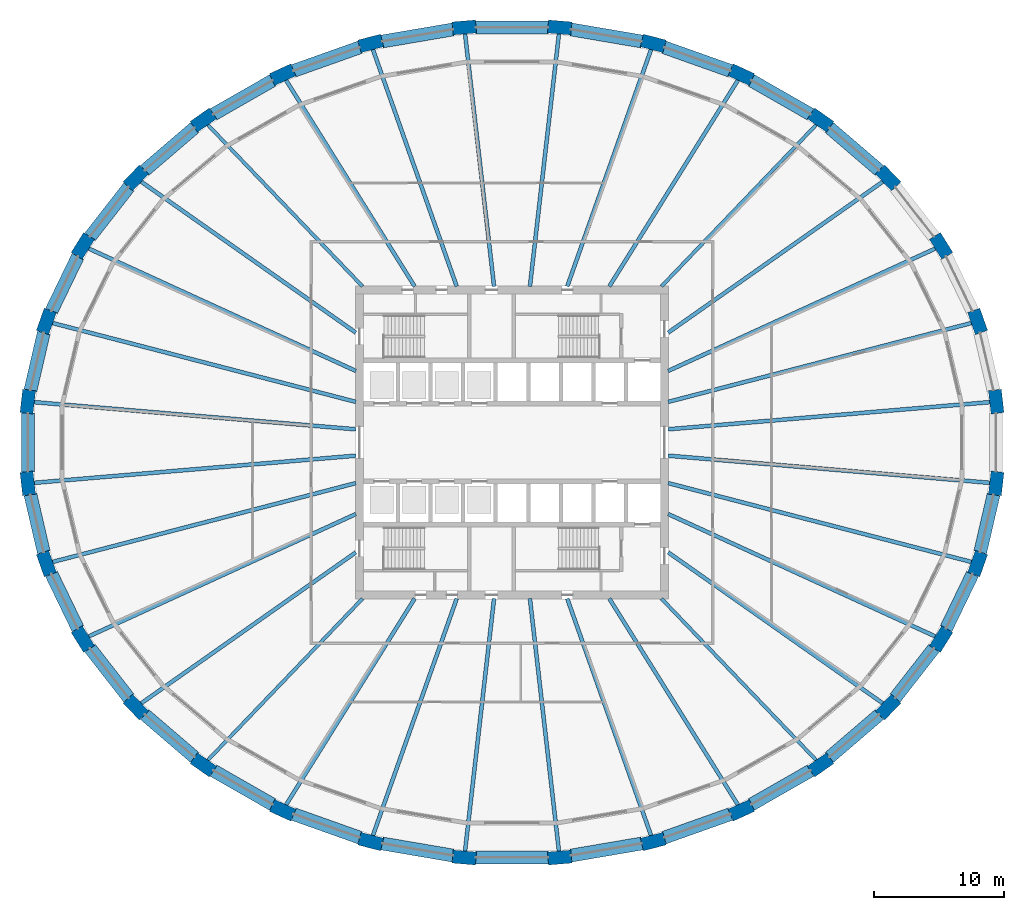
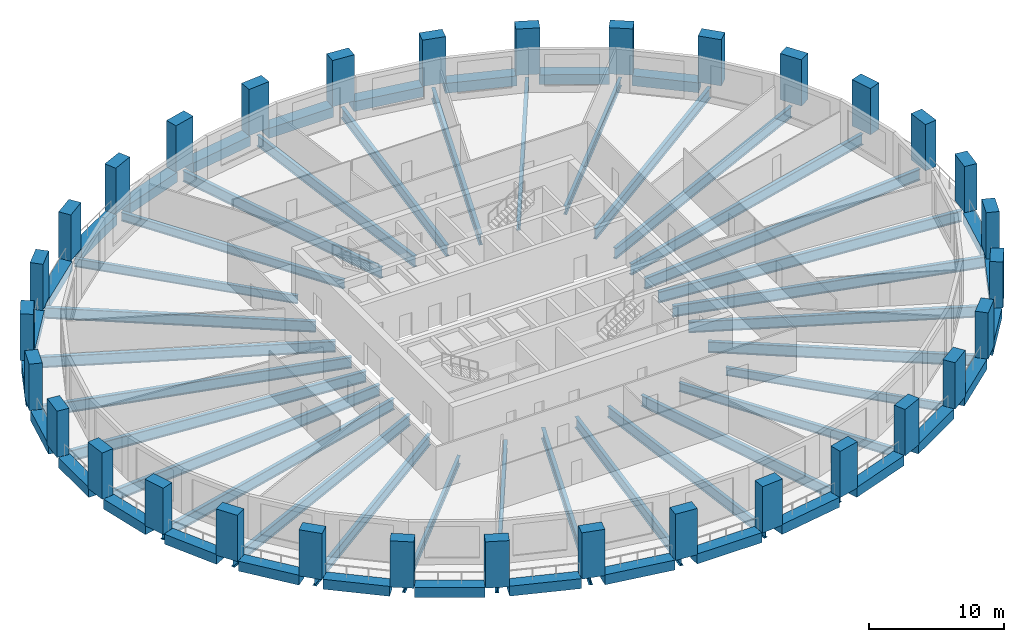
# One storey, part 1 of 10: 60 beams, 32 columns.
"""IFC4 building model written with IfcOpenShell, lengths in metres."""

from ifc_helpers import new_model, si_unit, direction, frame, origin, origin_2d, place, context, subcontext, project, spatial, rectangle, i_section, extrude, material, material_profile, profile_set, type_object, element, save


model = new_model("IFC4")

# Units and contexts
model_context = context("Model", 3, precision=1e-05, world=origin(), true_north=direction((0.0, 1.0)))
body_context = subcontext(model_context, "Body", "Model", "MODEL_VIEW")
ifc_project = project(units=[si_unit("LENGTHUNIT", "METRE"), si_unit("AREAUNIT", "SQUARE_METRE"), si_unit("VOLUMEUNIT", "CUBIC_METRE"), si_unit("PLANEANGLEUNIT", "RADIAN"), si_unit("MASSUNIT", "GRAM", prefix="KILO")], contexts=[model_context])

# Site, building, storey
site_placement = place(None, origin())
site = spatial("IfcSite", under=ifc_project, at=site_placement, CompositionType="ELEMENT")
building_placement = place(site_placement, origin())
building = spatial("IfcBuilding", under=site, at=building_placement, Name="Halqa Exchange Tower", CompositionType="ELEMENT")
storey_placement = place(building_placement, frame((0.0, 0.0, 52.89990234375)))
storey = spatial("IfcBuildingStorey", under=building, at=storey_placement, Name="L11", CompositionType="ELEMENT", Elevation=52.89990234375)

# Columns
ifc_material_1 = material(Name="Concrete C80/95", Category="concrete")
ifc_material_profile_1 = material_profile(ifc_material_1, rectangle(XDim=1.800048828125, YDim=1.0, at=origin_2d()), Name="1800 x 1000")
ifc_profile_set_1 = profile_set([ifc_material_profile_1], Name="Concrete C80/95")
column_type = type_object("IfcColumnType", Name="RC ring column 1800 x 1000 C80/95", PredefinedType="COLUMN", material=ifc_profile_set_1)
for number, where, z_axis, x_axis, name in (
    (1, (37.135986328125, 3.135009765625, 0.0), (0.0, 0.0, 1.0), (-0.114153454138, 0.993463129114, 0.0), "Ring column 1"),
    (2, (35.708984375, 9.284912109375, 0.0), (0.0, 0.0, 1.0), (-0.33362752424, 0.942704977747, 0.0), "Ring column 2"),
    (3, (32.90966796875, 15.07763671875, 0.0), (0.0, 0.0, 1.0), (-0.529143458197, 0.848532380435, 0.0), "Ring column 3"),
    (4, (28.845458984375, 20.291015625, 0.0), (0.0, 0.0, 1.0), (-0.691576091297, 0.722303613411, 0.0), "Ring column 4"),
    (5, (23.6728515625, 24.724609375, 0.0), (0.0, 0.0, 1.0), (-0.817908788019, 0.57534790734, 0.0), "Ring column 5"),
    (6, (17.590576171875, 28.208251953125, 0.0), (0.0, 0.0, 1.0), (-0.909127095833, 0.416518815449, 0.0), "Ring column 6"),
    (7, (10.832275390625, 30.607666015625, 0.0), (0.0, 0.0, 1.0), (-0.967819942774, 0.251643713153, 0.0), "Ring column 7"),
    (8, (3.65771484375, 31.8310546875, 0.0), (0.0, 0.0, 1.0), (-0.996455225341, 0.084124811391, 0.0), "Ring column 8"),
    (9, (-3.65771484375, 31.8310546875, 0.0), (0.0, 0.0, 1.0), (-0.996455225341, -0.084124811391, 0.0), "Ring column 9"),
    (10, (-10.832275390625, 30.607666015625, 0.0), (0.0, 0.0, 1.0), (-0.967819942774, -0.251643713153, 0.0), "Ring column 10"),
    (11, (-17.590576171875, 28.208251953125, 0.0), (0.0, 0.0, 1.0), (-0.909127095833, -0.416518815449, 0.0), "Ring column 11"),
    (12, (-23.6728515625, 24.724609375, 0.0), (0.0, 0.0, 1.0), (-0.817908788019, -0.57534790734, 0.0), "Ring column 12"),
    (13, (-28.845458984375, 20.291015625, 0.0), (0.0, 0.0, 1.0), (-0.691576091297, -0.722303613411, 0.0), "Ring column 13"),
    (14, (-32.90966796875, 15.07763671875, 0.0), (0.0, 0.0, 1.0), (-0.529143458197, -0.848532380435, 0.0), "Ring column 14"),
    (15, (-35.708984375, 9.284912109375, 0.0), (0.0, 0.0, 1.0), (-0.33362752424, -0.942704977747, 0.0), "Ring column 15"),
    (16, (-37.135986328125, 3.135009765625, 0.0), (0.0, 0.0, 1.0), (-0.114153454138, -0.993463129114, 0.0), "Ring column 16"),
    (17, (-37.135986328125, -3.135009765625, 0.0), (0.0, 0.0, 1.0), (0.114153454138, -0.993463129114, 0.0), "Ring column 17"),
    (18, (-35.708984375, -9.284912109375, 0.0), (0.0, 0.0, 1.0), (0.33362752424, -0.942704977747, 0.0), "Ring column 18"),
    (19, (-32.90966796875, -15.07763671875, 0.0), (0.0, 0.0, 1.0), (0.529143458197, -0.848532380435, 0.0), "Ring column 19"),
    (20, (-28.845458984375, -20.291015625, 0.0), (0.0, 0.0, 1.0), (0.691576091297, -0.722303613411, 0.0), "Ring column 20"),
    (21, (-23.6728515625, -24.724609375, 0.0), (0.0, 0.0, 1.0), (0.817908788019, -0.57534790734, 0.0), "Ring column 21"),
    (22, (-17.590576171875, -28.208251953125, 0.0), (0.0, 0.0, 1.0), (0.909127095833, -0.416518815449, 0.0), "Ring column 22"),
    (23, (-10.832275390625, -30.607666015625, 0.0), (0.0, 0.0, 1.0), (0.967819942774, -0.251643713153, 0.0), "Ring column 23"),
    (24, (-3.65771484375, -31.8310546875, 0.0), (0.0, 0.0, 1.0), (0.996455225341, -0.084124811391, 0.0), "Ring column 24"),
    (25, (3.65771484375, -31.8310546875, 0.0), (0.0, 0.0, 1.0), (0.996455225341, 0.084124811391, 0.0), "Ring column 25"),
    (26, (10.832275390625, -30.607666015625, 0.0), (0.0, 0.0, 1.0), (0.967819942774, 0.251643713153, 0.0), "Ring column 26"),
    (27, (17.590576171875, -28.208251953125, 0.0), (0.0, 0.0, 1.0), (0.909127095833, 0.416518815449, 0.0), "Ring column 27"),
    (28, (23.6728515625, -24.724609375, 0.0), (0.0, 0.0, 1.0), (0.817908788019, 0.57534790734, 0.0), "Ring column 28"),
    (29, (28.845458984375, -20.291015625, 0.0), (0.0, 0.0, 1.0), (0.691576091297, 0.722303613411, 0.0), "Ring column 29"),
    (30, (32.90966796875, -15.07763671875, 0.0), (0.0, 0.0, 1.0), (0.529143458197, 0.848532380435, 0.0), "Ring column 30"),
    (31, (35.708984375, -9.284912109375, 0.0), (0.0, 0.0, 1.0), (0.33362752424, 0.942704977747, 0.0), "Ring column 31"),
    (32, (37.135986328125, -3.135009765625, 0.0), (0.0, 0.0, 1.0), (0.114153454138, 0.993463129114, 0.0), "Ring column 32"),
):
    element("IfcColumn", number, at=place(storey_placement, frame(where, z_axis=z_axis, x_axis=x_axis)), inside=storey, type_object=column_type, Name=name, PredefinedType="COLUMN", context=body_context, shape_type="SweptSolid", body=[
        extrude(rectangle(XDim=1.800048828125, YDim=1.0, at=origin_2d()), origin(), (0.0, 0.0, 1.0), 4.2001953125),
    ])

# Beams
ifc_material_2 = material(Name="Steel S355", Category="steel")
ifc_material_profile_2 = material_profile(ifc_material_2, i_section(OverallWidth=0.300048828125, OverallDepth=0.989990234375, WebThickness=0.0166015625, FlangeThickness=0.031005859375, FilletRadius=0.030029296875, at=origin_2d()), Name="HEA 1000")
ifc_profile_set_2 = profile_set([ifc_material_profile_2], Name="Steel S355")
beam_type_1 = type_object("IfcBeamType", Name="Floor beam HEA 1000", PredefinedType="BEAM", material=ifc_profile_set_2)
beam_1_placement = place(storey_placement, frame((11.972412109375, 5.485107421875, -0.794921875), z_axis=(0.909128252254, 0.416516291343, 0.0), x_axis=(-0.416516291343, 0.909128252254, 0.0)))
element("IfcBeam", 33, at=beam_1_placement, inside=storey, type_object=beam_type_1, Name="Radial beam 3", PredefinedType="BEAM", context=body_context, shape_type="SweptSolid", body=[
    extrude(i_section(OverallWidth=0.300048828125, OverallDepth=0.989990234375, WebThickness=0.0166015625, FlangeThickness=0.031005859375, FilletRadius=0.030029296875, at=origin_2d()), origin(), (0.0, 0.0, 1.0), 22.654052734375),
])
beam_2_placement = place(storey_placement, frame((11.972412109375, 8.421875, -0.794921875), z_axis=(0.817910834663, 0.575344997841, 0.0), x_axis=(-0.575344997841, 0.817910834663, 0.0)))
element("IfcBeam", 34, at=beam_2_placement, inside=storey, type_object=beam_type_1, Name="Radial beam 4", PredefinedType="BEAM", context=body_context, shape_type="SweptSolid", body=[
    extrude(i_section(OverallWidth=0.300048828125, OverallDepth=0.989990234375, WebThickness=0.0166015625, FlangeThickness=0.031005859375, FilletRadius=0.030029296875, at=origin_2d()), origin(), (0.0, 0.0, 1.0), 20.253662109375),
])
beam_3_placement = place(storey_placement, frame((4.23681640625, 11.971923828125, -0.794921875), z_axis=(0.333636480127, 0.942701808171, 0.0), x_axis=(-0.942701808171, 0.333636480127, 0.0)))
element("IfcBeam", 35, at=beam_3_placement, inside=storey, type_object=beam_type_1, Name="Radial beam 7", PredefinedType="BEAM", context=body_context, shape_type="SweptSolid", body=[
    extrude(i_section(OverallWidth=0.300048828125, OverallDepth=0.989990234375, WebThickness=0.0166015625, FlangeThickness=0.031005859375, FilletRadius=0.030029296875, at=origin_2d()), origin(), (0.0, 0.0, 1.0), 19.39453125),
])
for number, where, z_axis, x_axis, name in (
    (36, (1.375732421875, 11.972900390625, -0.794921875), (0.114150293161, 0.993463492319, 0.0), (-0.993463492319, 0.114150293161, 0.0), "Radial beam 8"),
    (37, (-1.375732421875, 11.972900390625, -0.794921875), (-0.114150293161, 0.993463492319, 0.0), (-0.993463492319, -0.114150293161, 0.0), "Radial beam 9"),
):
    element("IfcBeam", number, at=place(storey_placement, frame(where, z_axis=z_axis, x_axis=x_axis)), inside=storey, type_object=beam_type_1, Name=name, PredefinedType="BEAM", context=body_context, shape_type="SweptSolid", body=[
        extrude(i_section(OverallWidth=0.300048828125, OverallDepth=0.989990234375, WebThickness=0.0166015625, FlangeThickness=0.031005859375, FilletRadius=0.030029296875, at=origin_2d()), origin(), (0.0, 0.0, 1.0), 19.61669921875),
    ])
beam_4_placement = place(storey_placement, frame((-4.23681640625, 11.971923828125, -0.794921875), z_axis=(-0.333636480127, 0.942701808171, 0.0), x_axis=(-0.942701808171, -0.333636480127, 0.0)))
element("IfcBeam", 38, at=beam_4_placement, inside=storey, type_object=beam_type_1, Name="Radial beam 10", PredefinedType="BEAM", context=body_context, shape_type="SweptSolid", body=[
    extrude(i_section(OverallWidth=0.300048828125, OverallDepth=0.989990234375, WebThickness=0.0166015625, FlangeThickness=0.031005859375, FilletRadius=0.030029296875, at=origin_2d()), origin(), (0.0, 0.0, 1.0), 19.39453125),
])
beam_5_placement = place(storey_placement, frame((-11.972412109375, 8.421875, -0.794921875), z_axis=(-0.817910834663, 0.575344997841, 0.0), x_axis=(-0.575344997841, -0.817910834663, 0.0)))
element("IfcBeam", 39, at=beam_5_placement, inside=storey, type_object=beam_type_1, Name="Radial beam 13", PredefinedType="BEAM", context=body_context, shape_type="SweptSolid", body=[
    extrude(i_section(OverallWidth=0.300048828125, OverallDepth=0.989990234375, WebThickness=0.0166015625, FlangeThickness=0.031005859375, FilletRadius=0.030029296875, at=origin_2d()), origin(), (0.0, 0.0, 1.0), 20.253662109375),
])
for number, where, z_axis, x_axis, name in (
    (40, (-11.972412109375, 5.485107421875, -0.794921875), (-0.909128252254, 0.416516291343, 0.0), (-0.416516291343, -0.909128252254, 0.0), "Radial beam 14"),
    (41, (-11.972412109375, -5.485107421875, -0.794921875), (-0.909128252254, -0.416516291343, 0.0), (0.416516291343, -0.909128252254, 0.0), "Radial beam 19"),
):
    element("IfcBeam", number, at=place(storey_placement, frame(where, z_axis=z_axis, x_axis=x_axis)), inside=storey, type_object=beam_type_1, Name=name, PredefinedType="BEAM", context=body_context, shape_type="SweptSolid", body=[
        extrude(i_section(OverallWidth=0.300048828125, OverallDepth=0.989990234375, WebThickness=0.0166015625, FlangeThickness=0.031005859375, FilletRadius=0.030029296875, at=origin_2d()), origin(), (0.0, 0.0, 1.0), 22.654052734375),
    ])
beam_6_placement = place(storey_placement, frame((-11.972412109375, -8.421875, -0.794921875), z_axis=(-0.817910834663, -0.575344997841, 0.0), x_axis=(0.575344997841, -0.817910834663, 0.0)))
element("IfcBeam", 42, at=beam_6_placement, inside=storey, type_object=beam_type_1, Name="Radial beam 20", PredefinedType="BEAM", context=body_context, shape_type="SweptSolid", body=[
    extrude(i_section(OverallWidth=0.300048828125, OverallDepth=0.989990234375, WebThickness=0.0166015625, FlangeThickness=0.031005859375, FilletRadius=0.030029296875, at=origin_2d()), origin(), (0.0, 0.0, 1.0), 20.253662109375),
])
beam_7_placement = place(storey_placement, frame((-4.23681640625, -11.971923828125, -0.794921875), z_axis=(-0.333636480127, -0.942701808171, 0.0), x_axis=(0.942701808171, -0.333636480127, 0.0)))
element("IfcBeam", 43, at=beam_7_placement, inside=storey, type_object=beam_type_1, Name="Radial beam 23", PredefinedType="BEAM", context=body_context, shape_type="SweptSolid", body=[
    extrude(i_section(OverallWidth=0.300048828125, OverallDepth=0.989990234375, WebThickness=0.0166015625, FlangeThickness=0.031005859375, FilletRadius=0.030029296875, at=origin_2d()), origin(), (0.0, 0.0, 1.0), 19.39453125),
])
for number, where, z_axis, x_axis, name in (
    (44, (-1.375732421875, -11.972900390625, -0.794921875), (-0.114150293161, -0.993463492319, 0.0), (0.993463492319, -0.114150293161, 0.0), "Radial beam 24"),
    (45, (1.375732421875, -11.972900390625, -0.794921875), (0.114150293161, -0.993463492319, 0.0), (0.993463492319, 0.114150293161, 0.0), "Radial beam 25"),
):
    element("IfcBeam", number, at=place(storey_placement, frame(where, z_axis=z_axis, x_axis=x_axis)), inside=storey, type_object=beam_type_1, Name=name, PredefinedType="BEAM", context=body_context, shape_type="SweptSolid", body=[
        extrude(i_section(OverallWidth=0.300048828125, OverallDepth=0.989990234375, WebThickness=0.0166015625, FlangeThickness=0.031005859375, FilletRadius=0.030029296875, at=origin_2d()), origin(), (0.0, 0.0, 1.0), 19.61669921875),
    ])
beam_8_placement = place(storey_placement, frame((4.23681640625, -11.971923828125, -0.794921875), z_axis=(0.333636480127, -0.942701808171, 0.0), x_axis=(0.942701808171, 0.333636480127, 0.0)))
element("IfcBeam", 46, at=beam_8_placement, inside=storey, type_object=beam_type_1, Name="Radial beam 26", PredefinedType="BEAM", context=body_context, shape_type="SweptSolid", body=[
    extrude(i_section(OverallWidth=0.300048828125, OverallDepth=0.989990234375, WebThickness=0.0166015625, FlangeThickness=0.031005859375, FilletRadius=0.030029296875, at=origin_2d()), origin(), (0.0, 0.0, 1.0), 19.39453125),
])
beam_9_placement = place(storey_placement, frame((11.972412109375, -8.421875, -0.794921875), z_axis=(0.817910834663, -0.575344997841, 0.0), x_axis=(0.575344997841, 0.817910834663, 0.0)))
element("IfcBeam", 47, at=beam_9_placement, inside=storey, type_object=beam_type_1, Name="Radial beam 29", PredefinedType="BEAM", context=body_context, shape_type="SweptSolid", body=[
    extrude(i_section(OverallWidth=0.300048828125, OverallDepth=0.989990234375, WebThickness=0.0166015625, FlangeThickness=0.031005859375, FilletRadius=0.030029296875, at=origin_2d()), origin(), (0.0, 0.0, 1.0), 20.253662109375),
])
beam_10_placement = place(storey_placement, frame((11.972412109375, -5.485107421875, -0.794921875), z_axis=(0.909128252254, -0.416516291343, 0.0), x_axis=(0.416516291343, 0.909128252254, 0.0)))
element("IfcBeam", 48, at=beam_10_placement, inside=storey, type_object=beam_type_1, Name="Radial beam 30", PredefinedType="BEAM", context=body_context, shape_type="SweptSolid", body=[
    extrude(i_section(OverallWidth=0.300048828125, OverallDepth=0.989990234375, WebThickness=0.0166015625, FlangeThickness=0.031005859375, FilletRadius=0.030029296875, at=origin_2d()), origin(), (0.0, 0.0, 1.0), 22.654052734375),
])
ifc_material_profile_3 = material_profile(ifc_material_2, i_section(OverallWidth=0.300048828125, OverallDepth=0.7900390625, WebThickness=0.014892578125, FlangeThickness=0.028076171875, FilletRadius=0.030029296875, at=origin_2d()), Name="HEA 800")
ifc_profile_set_3 = profile_set([ifc_material_profile_3], Name="Steel S355")
beam_type_2 = type_object("IfcBeamType", Name="Floor beam HEA 800", PredefinedType="BEAM", material=ifc_profile_set_3)
for number, where, z_axis, x_axis, name in (
    (49, (7.46533203125, 11.971435546875, -0.69482421875), (0.529137672144, 0.848535988582, 0.0), (-0.848535988582, 0.529137672144, 0.0), "Radial beam 6"),
    (50, (-7.46533203125, 11.971435546875, -0.69482421875), (-0.529137672144, 0.848535988582, 0.0), (-0.848535988582, -0.529137672144, 0.0), "Radial beam 11"),
    (51, (-7.46533203125, -11.971435546875, -0.69482421875), (-0.529137672144, -0.848535988582, 0.0), (0.848535988582, -0.529137672144, 0.0), "Radial beam 22"),
    (52, (7.46533203125, -11.971435546875, -0.69482421875), (0.529137672144, -0.848535988582, 0.0), (0.848535988582, 0.529137672144, 0.0), "Radial beam 27"),
):
    element("IfcBeam", number, at=place(storey_placement, frame(where, z_axis=z_axis, x_axis=x_axis)), inside=storey, type_object=beam_type_2, Name=name, PredefinedType="BEAM", context=body_context, shape_type="SweptSolid", body=[
        extrude(i_section(OverallWidth=0.300048828125, OverallDepth=0.7900390625, WebThickness=0.014892578125, FlangeThickness=0.028076171875, FilletRadius=0.030029296875, at=origin_2d()), origin(), (0.0, 0.0, 1.0), 18.75927734375),
    ])
ifc_material_profile_4 = material_profile(ifc_material_2, i_section(OverallWidth=0.300048828125, OverallDepth=1.0, WebThickness=0.01904296875, FlangeThickness=0.035888671875, FilletRadius=0.030029296875, at=origin_2d()), Name="HEB 1000")
ifc_profile_set_4 = profile_set([ifc_material_profile_4], Name="Steel S355")
beam_type_3 = type_object("IfcBeamType", Name="Floor beam HEB 1000", PredefinedType="BEAM", material=ifc_profile_set_4)
for number, where, z_axis, x_axis, name in (
    (53, (11.97119140625, 3.11279296875, -0.7998046875), (0.967820586637, 0.251641236846, 0.0), (-0.251641236846, 0.967820586637, 0.0), "Radial beam 2"),
    (54, (-11.97119140625, 3.11279296875, -0.7998046875), (-0.967820586637, 0.251641236846, 0.0), (-0.251641236846, -0.967820586637, 0.0), "Radial beam 15"),
    (55, (-11.97119140625, -3.11279296875, -0.7998046875), (-0.967820586637, -0.251641236846, 0.0), (0.251641236846, -0.967820586637, 0.0), "Radial beam 18"),
    (56, (11.97119140625, -3.11279296875, -0.7998046875), (0.967820586637, -0.251641236846, 0.0), (0.251641236846, 0.967820586637, 0.0), "Radial beam 31"),
):
    element("IfcBeam", number, at=place(storey_placement, frame(where, z_axis=z_axis, x_axis=x_axis)), inside=storey, type_object=beam_type_3, Name=name, PredefinedType="BEAM", context=body_context, shape_type="SweptSolid", body=[
        extrude(i_section(OverallWidth=0.300048828125, OverallDepth=1.0, WebThickness=0.01904296875, FlangeThickness=0.035888671875, FilletRadius=0.030029296875, at=origin_2d()), origin(), (0.0, 0.0, 1.0), 24.153076171875),
    ])
ifc_material_profile_5 = material_profile(ifc_material_2, i_section(OverallWidth=0.302001953125, OverallDepth=1.008056640625, WebThickness=0.02099609375, FlangeThickness=0.0400390625, FilletRadius=0.030029296875, at=origin_2d()), Name="HEM 1000")
ifc_profile_set_5 = profile_set([ifc_material_profile_5], Name="Steel S355")
beam_type_4 = type_object("IfcBeamType", Name="Floor beam HEM 1000", PredefinedType="BEAM", material=ifc_profile_set_5)
for number, where, z_axis, x_axis, name in (
    (57, (11.972412109375, 1.0107421875, -0.803955078125), (0.996455582093, 0.084120585565, 0.0), (-0.084120585565, 0.996455582093, 0.0), "Radial beam 1"),
    (58, (-11.972412109375, 1.0107421875, -0.803955078125), (-0.996455582093, 0.084120585565, 0.0), (-0.084120585565, -0.996455582093, 0.0), "Radial beam 16"),
    (59, (-11.972412109375, -1.0107421875, -0.803955078125), (-0.996455582093, -0.084120585565, 0.0), (0.084120585565, -0.996455582093, 0.0), "Radial beam 17"),
    (60, (11.972412109375, -1.0107421875, -0.803955078125), (0.996455582093, -0.084120585565, 0.0), (0.084120585565, 0.996455582093, 0.0), "Radial beam 32"),
):
    element("IfcBeam", number, at=place(storey_placement, frame(where, z_axis=z_axis, x_axis=x_axis)), inside=storey, type_object=beam_type_4, Name=name, PredefinedType="BEAM", context=body_context, shape_type="SweptSolid", body=[
        extrude(i_section(OverallWidth=0.302001953125, OverallDepth=1.008056640625, WebThickness=0.02099609375, FlangeThickness=0.0400390625, FilletRadius=0.030029296875, at=origin_2d()), origin(), (0.0, 0.0, 1.0), 24.881103515625),
    ])
ifc_material_profile_6 = material_profile(ifc_material_2, i_section(OverallWidth=0.264892578125, OverallDepth=0.7529296875, WebThickness=0.01318359375, FlangeThickness=0.01708984375, FilletRadius=0.01708984375, at=origin_2d()), Name="IPE 750x147")
ifc_profile_set_6 = profile_set([ifc_material_profile_6], Name="Steel S355")
beam_type_5 = type_object("IfcBeamType", Name="Floor beam IPE 750x147", PredefinedType="BEAM", material=ifc_profile_set_6)
for number, where, z_axis, x_axis, name in (
    (61, (11.462890625, 11.97216796875, -0.676513671875), (0.691574479101, 0.722305157019, 0.0), (-0.722305157019, 0.691574479101, 0.0), "Radial beam 5"),
    (62, (-11.462890625, 11.97216796875, -0.676513671875), (-0.691574479101, 0.722305157019, 0.0), (-0.722305157019, -0.691574479101, 0.0), "Radial beam 12"),
    (63, (-11.462890625, -11.97216796875, -0.676513671875), (-0.691574479101, -0.722305157019, 0.0), (0.722305157019, -0.691574479101, 0.0), "Radial beam 21"),
    (64, (11.462890625, -11.97216796875, -0.676513671875), (0.691574479101, -0.722305157019, 0.0), (0.722305157019, 0.691574479101, 0.0), "Radial beam 28"),
):
    element("IfcBeam", number, at=place(storey_placement, frame(where, z_axis=z_axis, x_axis=x_axis)), inside=storey, type_object=beam_type_5, Name=name, PredefinedType="BEAM", context=body_context, shape_type="SweptSolid", body=[
        extrude(i_section(OverallWidth=0.264892578125, OverallDepth=0.7529296875, WebThickness=0.01318359375, FlangeThickness=0.01708984375, FilletRadius=0.01708984375, at=origin_2d()), origin(), (0.0, 0.0, 1.0), 17.279296875),
    ])
ifc_material_3 = material(Name="Concrete C60/75", Category="concrete")
ifc_material_profile_7 = material_profile(ifc_material_3, rectangle(XDim=1.0, YDim=0.89990234375, at=origin_2d()), Name="1000 x 900")
ifc_profile_set_7 = profile_set([ifc_material_profile_7], Name="Concrete C60/75")
beam_type_6 = type_object("IfcBeamType", Name="RC spandrel beam 1000 x 900 C60/75", PredefinedType="SPANDREL", material=ifc_profile_set_7)
beam_11_placement = place(storey_placement, frame((28.18017578125, 20.861328125, -0.449951171875), z_axis=(-0.759266817387, 0.650779455741, 0.0), x_axis=(-0.650779455741, -0.759266817387, 0.0)))
element("IfcBeam", 65, at=beam_11_placement, inside=storey, type_object=beam_type_6, Name="Spandrel 4", PredefinedType="SPANDREL", context=body_context, shape_type="SweptSolid", body=[
    extrude(rectangle(XDim=1.0, YDim=0.89990234375, at=origin_2d()), origin(), (0.0, 0.0, 1.0), 5.061279296875),
])
beam_12_placement = place(storey_placement, frame((22.91259765625, 25.16015625, -0.449951171875), z_axis=(-0.86775126058, 0.496998742214, 0.0), x_axis=(-0.496998742214, -0.86775126058, 0.0)))
element("IfcBeam", 66, at=beam_12_placement, inside=storey, type_object=beam_type_6, Name="Spandrel 5", PredefinedType="SPANDREL", context=body_context, shape_type="SweptSolid", body=[
    extrude(rectangle(XDim=1.0, YDim=0.89990234375, at=origin_2d()), origin(), (0.0, 0.0, 1.0), 5.258056640625),
])
beam_13_placement = place(storey_placement, frame((16.764892578125, 28.50146484375, -0.449951171875), z_axis=(-0.942379193902, 0.334546640845, 0.0), x_axis=(-0.334546640845, -0.942379193902, 0.0)))
element("IfcBeam", 67, at=beam_13_placement, inside=storey, type_object=beam_type_6, Name="Spandrel 6", PredefinedType="SPANDREL", context=body_context, shape_type="SweptSolid", body=[
    extrude(rectangle(XDim=1.0, YDim=0.89990234375, at=origin_2d()), origin(), (0.0, 0.0, 1.0), 5.419921875),
])
beam_14_placement = place(storey_placement, frame((9.9697265625, 30.7548828125, -0.449951171875), z_axis=(-0.985774816131, 0.168071448739, 0.0), x_axis=(-0.168071448739, -0.985774816131, 0.0)))
element("IfcBeam", 68, at=beam_14_placement, inside=storey, type_object=beam_type_6, Name="Spandrel 7", PredefinedType="SPANDREL", context=body_context, shape_type="SweptSolid", body=[
    extrude(rectangle(XDim=1.0, YDim=0.89990234375, at=origin_2d()), origin(), (0.0, 0.0, 1.0), 5.528564453125),
])
beam_15_placement = place(storey_placement, frame((2.783203125, 31.8310546875, -0.449951171875), z_axis=(-1.0, 0.0, 0.0), x_axis=(0.0, -1.0, 0.0)))
element("IfcBeam", 69, at=beam_15_placement, inside=storey, type_object=beam_type_6, Name="Spandrel 8", PredefinedType="SPANDREL", context=body_context, shape_type="SweptSolid", body=[
    extrude(rectangle(XDim=1.0, YDim=0.89990234375, at=origin_2d()), origin(), (0.0, 0.0, 1.0), 5.56640625),
])
beam_16_placement = place(storey_placement, frame((-4.519775390625, 31.68408203125, -0.449951171875), z_axis=(-0.985774816131, -0.168071448739, 0.0), x_axis=(0.168071448739, -0.985774816131, 0.0)))
element("IfcBeam", 70, at=beam_16_placement, inside=storey, type_object=beam_type_6, Name="Spandrel 9", PredefinedType="SPANDREL", context=body_context, shape_type="SweptSolid", body=[
    extrude(rectangle(XDim=1.0, YDim=0.89990234375, at=origin_2d()), origin(), (0.0, 0.0, 1.0), 5.528564453125),
])
beam_17_placement = place(storey_placement, frame((-11.6572265625, 30.314697265625, -0.449951171875), z_axis=(-0.942379193902, -0.334546640845, 0.0), x_axis=(0.334546640845, -0.942379193902, 0.0)))
element("IfcBeam", 71, at=beam_17_placement, inside=storey, type_object=beam_type_6, Name="Spandrel 10", PredefinedType="SPANDREL", context=body_context, shape_type="SweptSolid", body=[
    extrude(rectangle(XDim=1.0, YDim=0.89990234375, at=origin_2d()), origin(), (0.0, 0.0, 1.0), 5.419921875),
])
beam_18_placement = place(storey_placement, frame((-18.349853515625, 27.7734375, -0.449951171875), z_axis=(-0.86775126058, -0.496998742214, 0.0), x_axis=(0.496998742214, -0.86775126058, 0.0)))
element("IfcBeam", 72, at=beam_18_placement, inside=storey, type_object=beam_type_6, Name="Spandrel 11", PredefinedType="SPANDREL", context=body_context, shape_type="SweptSolid", body=[
    extrude(rectangle(XDim=1.0, YDim=0.89990234375, at=origin_2d()), origin(), (0.0, 0.0, 1.0), 5.258056640625),
])
beam_19_placement = place(storey_placement, frame((-24.33740234375, 24.155029296875, -0.449951171875), z_axis=(-0.759266817387, -0.650779455741, 0.0), x_axis=(0.650779455741, -0.759266817387, 0.0)))
element("IfcBeam", 73, at=beam_19_placement, inside=storey, type_object=beam_type_6, Name="Spandrel 12", PredefinedType="SPANDREL", context=body_context, shape_type="SweptSolid", body=[
    extrude(rectangle(XDim=1.0, YDim=0.89990234375, at=origin_2d()), origin(), (0.0, 0.0, 1.0), 5.061279296875),
])
beam_20_placement = place(storey_placement, frame((-29.3837890625, 19.6005859375, -0.449951171875), z_axis=(-0.614803063133, -0.788680666406, 0.0), x_axis=(0.788680666406, -0.614803063133, 0.0)))
element("IfcBeam", 74, at=beam_20_placement, inside=storey, type_object=beam_type_6, Name="Spandrel 13", PredefinedType="SPANDREL", context=body_context, shape_type="SweptSolid", body=[
    extrude(rectangle(XDim=1.0, YDim=0.89990234375, at=origin_2d()), origin(), (0.0, 0.0, 1.0), 4.858154296875),
])
beam_21_placement = place(storey_placement, frame((-33.29150390625, 14.287109375, -0.449951171875), z_axis=(-0.43512988636, -0.900367692666, 0.0), x_axis=(0.900367692666, -0.43512988636, 0.0)))
element("IfcBeam", 75, at=beam_21_placement, inside=storey, type_object=beam_type_6, Name="Spandrel 14", PredefinedType="SPANDREL", context=body_context, shape_type="SweptSolid", body=[
    extrude(rectangle(XDim=1.0, YDim=0.89990234375, at=origin_2d()), origin(), (0.0, 0.0, 1.0), 4.6787109375),
])
beam_22_placement = place(storey_placement, frame((-35.907470703125, 8.4296875, -0.449951171875), z_axis=(-0.226037111301, -0.974118691082, 0.0), x_axis=(0.974118691082, -0.226037111301, 0.0)))
element("IfcBeam", 76, at=beam_22_placement, inside=storey, type_object=beam_type_6, Name="Spandrel 15", PredefinedType="SPANDREL", context=body_context, shape_type="SweptSolid", body=[
    extrude(rectangle(XDim=1.0, YDim=0.89990234375, at=origin_2d()), origin(), (0.0, 0.0, 1.0), 4.556884765625),
])
beam_23_placement = place(storey_placement, frame((-37.135986328125, 2.25634765625, -0.449951171875), z_axis=(0.0, -1.0, 0.0), x_axis=(1.0, 0.0, 0.0)))
element("IfcBeam", 77, at=beam_23_placement, inside=storey, type_object=beam_type_6, Name="Spandrel 16", PredefinedType="SPANDREL", context=body_context, shape_type="SweptSolid", body=[
    extrude(rectangle(XDim=1.0, YDim=0.89990234375, at=origin_2d()), origin(), (0.0, 0.0, 1.0), 4.5126953125),
])
beam_24_placement = place(storey_placement, frame((-36.9375, -3.99072265625, -0.449951171875), z_axis=(0.226037111301, -0.974118691082, 0.0), x_axis=(0.974118691082, 0.226037111301, 0.0)))
element("IfcBeam", 78, at=beam_24_placement, inside=storey, type_object=beam_type_6, Name="Spandrel 17", PredefinedType="SPANDREL", context=body_context, shape_type="SweptSolid", body=[
    extrude(rectangle(XDim=1.0, YDim=0.89990234375, at=origin_2d()), origin(), (0.0, 0.0, 1.0), 4.556884765625),
])
beam_25_placement = place(storey_placement, frame((-35.327392578125, -10.074462890625, -0.449951171875), z_axis=(0.43512988636, -0.900367692666, 0.0), x_axis=(0.900367692666, 0.43512988636, 0.0)))
element("IfcBeam", 79, at=beam_25_placement, inside=storey, type_object=beam_type_6, Name="Spandrel 18", PredefinedType="SPANDREL", context=body_context, shape_type="SweptSolid", body=[
    extrude(rectangle(XDim=1.0, YDim=0.89990234375, at=origin_2d()), origin(), (0.0, 0.0, 1.0), 4.6787109375),
])
beam_26_placement = place(storey_placement, frame((-32.37060546875, -15.76904296875, -0.449951171875), z_axis=(0.614803063133, -0.788680666406, 0.0), x_axis=(0.788680666406, 0.614803063133, 0.0)))
element("IfcBeam", 80, at=beam_26_placement, inside=storey, type_object=beam_type_6, Name="Spandrel 19", PredefinedType="SPANDREL", context=body_context, shape_type="SweptSolid", body=[
    extrude(rectangle(XDim=1.0, YDim=0.89990234375, at=origin_2d()), origin(), (0.0, 0.0, 1.0), 4.858154296875),
])
beam_27_placement = place(storey_placement, frame((-28.18017578125, -20.861328125, -0.449951171875), z_axis=(0.759266817387, -0.650779455741, 0.0), x_axis=(0.650779455741, 0.759266817387, 0.0)))
element("IfcBeam", 81, at=beam_27_placement, inside=storey, type_object=beam_type_6, Name="Spandrel 20", PredefinedType="SPANDREL", context=body_context, shape_type="SweptSolid", body=[
    extrude(rectangle(XDim=1.0, YDim=0.89990234375, at=origin_2d()), origin(), (0.0, 0.0, 1.0), 5.061279296875),
])
beam_28_placement = place(storey_placement, frame((-22.91259765625, -25.16015625, -0.449951171875), z_axis=(0.86775126058, -0.496998742214, 0.0), x_axis=(0.496998742214, 0.86775126058, 0.0)))
element("IfcBeam", 82, at=beam_28_placement, inside=storey, type_object=beam_type_6, Name="Spandrel 21", PredefinedType="SPANDREL", context=body_context, shape_type="SweptSolid", body=[
    extrude(rectangle(XDim=1.0, YDim=0.89990234375, at=origin_2d()), origin(), (0.0, 0.0, 1.0), 5.258056640625),
])
beam_29_placement = place(storey_placement, frame((-16.764892578125, -28.50146484375, -0.449951171875), z_axis=(0.942379193902, -0.334546640845, 0.0), x_axis=(0.334546640845, 0.942379193902, 0.0)))
element("IfcBeam", 83, at=beam_29_placement, inside=storey, type_object=beam_type_6, Name="Spandrel 22", PredefinedType="SPANDREL", context=body_context, shape_type="SweptSolid", body=[
    extrude(rectangle(XDim=1.0, YDim=0.89990234375, at=origin_2d()), origin(), (0.0, 0.0, 1.0), 5.419921875),
])
beam_30_placement = place(storey_placement, frame((-9.9697265625, -30.7548828125, -0.449951171875), z_axis=(0.985774816131, -0.168071448739, 0.0), x_axis=(0.168071448739, 0.985774816131, 0.0)))
element("IfcBeam", 84, at=beam_30_placement, inside=storey, type_object=beam_type_6, Name="Spandrel 23", PredefinedType="SPANDREL", context=body_context, shape_type="SweptSolid", body=[
    extrude(rectangle(XDim=1.0, YDim=0.89990234375, at=origin_2d()), origin(), (0.0, 0.0, 1.0), 5.528564453125),
])
beam_31_placement = place(storey_placement, frame((-2.783203125, -31.8310546875, -0.449951171875), z_axis=(1.0, 0.0, 0.0), x_axis=(0.0, 1.0, 0.0)))
element("IfcBeam", 85, at=beam_31_placement, inside=storey, type_object=beam_type_6, Name="Spandrel 24", PredefinedType="SPANDREL", context=body_context, shape_type="SweptSolid", body=[
    extrude(rectangle(XDim=1.0, YDim=0.89990234375, at=origin_2d()), origin(), (0.0, 0.0, 1.0), 5.56640625),
])
beam_32_placement = place(storey_placement, frame((4.519775390625, -31.68408203125, -0.449951171875), z_axis=(0.985774816131, 0.168071448739, 0.0), x_axis=(-0.168071448739, 0.985774816131, 0.0)))
element("IfcBeam", 86, at=beam_32_placement, inside=storey, type_object=beam_type_6, Name="Spandrel 25", PredefinedType="SPANDREL", context=body_context, shape_type="SweptSolid", body=[
    extrude(rectangle(XDim=1.0, YDim=0.89990234375, at=origin_2d()), origin(), (0.0, 0.0, 1.0), 5.528564453125),
])
beam_33_placement = place(storey_placement, frame((11.6572265625, -30.314697265625, -0.449951171875), z_axis=(0.942379193902, 0.334546640845, 0.0), x_axis=(-0.334546640845, 0.942379193902, 0.0)))
element("IfcBeam", 87, at=beam_33_placement, inside=storey, type_object=beam_type_6, Name="Spandrel 26", PredefinedType="SPANDREL", context=body_context, shape_type="SweptSolid", body=[
    extrude(rectangle(XDim=1.0, YDim=0.89990234375, at=origin_2d()), origin(), (0.0, 0.0, 1.0), 5.419921875),
])
beam_34_placement = place(storey_placement, frame((18.349853515625, -27.7734375, -0.449951171875), z_axis=(0.86775126058, 0.496998742214, 0.0), x_axis=(-0.496998742214, 0.86775126058, 0.0)))
element("IfcBeam", 88, at=beam_34_placement, inside=storey, type_object=beam_type_6, Name="Spandrel 27", PredefinedType="SPANDREL", context=body_context, shape_type="SweptSolid", body=[
    extrude(rectangle(XDim=1.0, YDim=0.89990234375, at=origin_2d()), origin(), (0.0, 0.0, 1.0), 5.258056640625),
])
beam_35_placement = place(storey_placement, frame((24.33740234375, -24.155029296875, -0.449951171875), z_axis=(0.759266817387, 0.650779455741, 0.0), x_axis=(-0.650779455741, 0.759266817387, 0.0)))
element("IfcBeam", 89, at=beam_35_placement, inside=storey, type_object=beam_type_6, Name="Spandrel 28", PredefinedType="SPANDREL", context=body_context, shape_type="SweptSolid", body=[
    extrude(rectangle(XDim=1.0, YDim=0.89990234375, at=origin_2d()), origin(), (0.0, 0.0, 1.0), 5.061279296875),
])
beam_36_placement = place(storey_placement, frame((29.3837890625, -19.6005859375, -0.449951171875), z_axis=(0.614803063133, 0.788680666406, 0.0), x_axis=(-0.788680666406, 0.614803063133, 0.0)))
element("IfcBeam", 90, at=beam_36_placement, inside=storey, type_object=beam_type_6, Name="Spandrel 29", PredefinedType="SPANDREL", context=body_context, shape_type="SweptSolid", body=[
    extrude(rectangle(XDim=1.0, YDim=0.89990234375, at=origin_2d()), origin(), (0.0, 0.0, 1.0), 4.858154296875),
])
beam_37_placement = place(storey_placement, frame((33.29150390625, -14.287109375, -0.449951171875), z_axis=(0.43512988636, 0.900367692666, 0.0), x_axis=(-0.900367692666, 0.43512988636, 0.0)))
element("IfcBeam", 91, at=beam_37_placement, inside=storey, type_object=beam_type_6, Name="Spandrel 30", PredefinedType="SPANDREL", context=body_context, shape_type="SweptSolid", body=[
    extrude(rectangle(XDim=1.0, YDim=0.89990234375, at=origin_2d()), origin(), (0.0, 0.0, 1.0), 4.6787109375),
])
beam_38_placement = place(storey_placement, frame((35.907470703125, -8.4296875, -0.449951171875), z_axis=(0.226037111301, 0.974118691082, 0.0), x_axis=(-0.974118691082, 0.226037111301, 0.0)))
element("IfcBeam", 92, at=beam_38_placement, inside=storey, type_object=beam_type_6, Name="Spandrel 31", PredefinedType="SPANDREL", context=body_context, shape_type="SweptSolid", body=[
    extrude(rectangle(XDim=1.0, YDim=0.89990234375, at=origin_2d()), origin(), (0.0, 0.0, 1.0), 4.556884765625),
])

save(model, "model.ifc")
